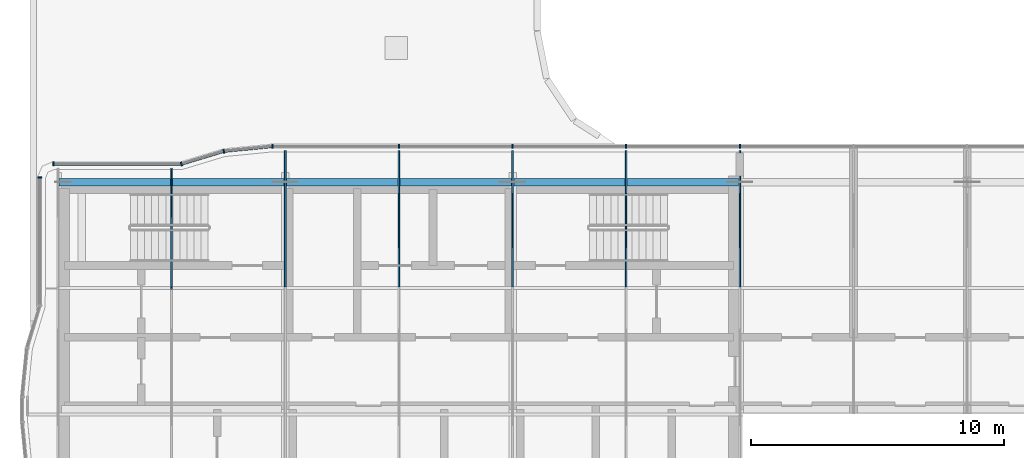
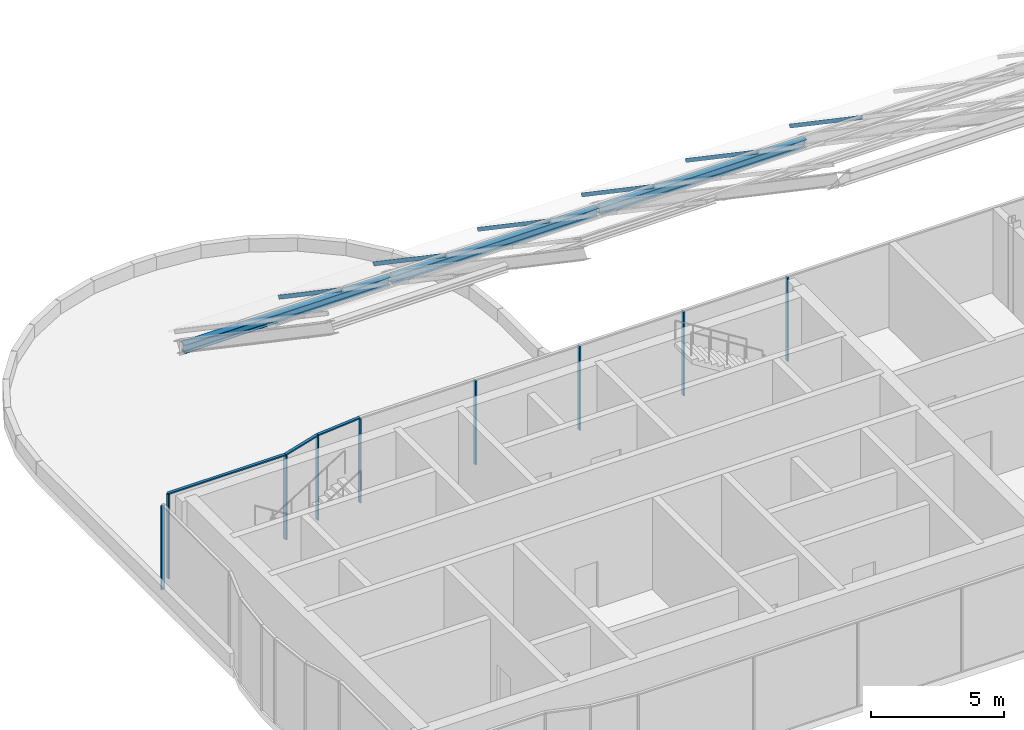
# One storey, part 7 of 25: 21 members, 8 elements without a shape of their own.
"""IFC4 building model written with IfcOpenShell, lengths in metres."""

from ifc_helpers import new_model, si_unit, direction, frame, origin, origin_2d, place, context, subcontext, project, spatial, rectangle, i_section, extrude, material, material_profile, profile_set, type_object, element, aggregate, save


model = new_model("IFC4")

# Units and contexts
model_context = context("Model", 3, precision=1e-05, world=origin(), true_north=direction((0.0, 1.0)))
body_context = subcontext(model_context, "Body", "Model", "MODEL_VIEW")
ifc_project = project(units=[si_unit("LENGTHUNIT", "METRE"), si_unit("AREAUNIT", "SQUARE_METRE"), si_unit("VOLUMEUNIT", "CUBIC_METRE"), si_unit("PLANEANGLEUNIT", "RADIAN"), si_unit("MASSUNIT", "GRAM", prefix="KILO")], contexts=[model_context])

# Site, building, storey
site_placement = place(None, origin())
site = spatial("IfcSite", under=ifc_project, at=site_placement, CompositionType="ELEMENT")
building_placement = place(site_placement, origin())
building = spatial("IfcBuilding", under=site, at=building_placement, Name="Ogive Portal Towers", CompositionType="ELEMENT")
storey_placement = place(building_placement, frame((0.0, 0.0, 272.89990234375)))
storey = spatial("IfcBuildingStorey", under=building, at=storey_placement, Name="L66", CompositionType="ELEMENT", Elevation=272.89990234375)

# Members
ifc_material_1 = material(Name="Steel S355", Category="steel")
ifc_material_profile_1 = material_profile(ifc_material_1, i_section(OverallWidth=0.300048828125, OverallDepth=0.389892578125, WebThickness=0.010986328125, FlangeThickness=0.01904296875, FilletRadius=0.027099609375, at=origin_2d()), Name="HEA 400")
ifc_profile_set_1 = profile_set([ifc_material_profile_1], Name="Steel S355")
member_type_1 = type_object("IfcMemberType", Name="CROWN EAVE BEAM HEA 400", PredefinedType="STRUT", material=ifc_profile_set_1)
for number, where, z_axis, x_axis, name in (
    (1, (31.550048828125, 39.5, 10.885009765625), (1.0, 0.0, 0.0), (0.0, 1.0, 0.0), "Crown eave"),
    (2, (40.550048828125, 39.5, 10.885009765625), (1.0, 0.0, 0.0), (0.0, 1.0, 0.0), "Crown eave"),
    (3, (49.550048828125, 39.5, 10.885009765625), (1.0, 0.0, 0.0), (0.0, 1.0, 0.0), "Crown eave"),
):
    element("IfcMember", number, at=place(storey_placement, frame(where, z_axis=z_axis, x_axis=x_axis)), inside=storey, type_object=member_type_1, Name=name, PredefinedType="STRUT", context=body_context, shape_type="SweptSolid", body=[
        extrude(i_section(OverallWidth=0.300048828125, OverallDepth=0.389892578125, WebThickness=0.010986328125, FlangeThickness=0.01904296875, FilletRadius=0.027099609375, at=origin_2d()), origin(), (0.0, 0.0, 1.0), 8.89990234375),
    ])

# Curtain wall, members
ifc_material_2 = material(Name="Glass, clear low-iron insulated glazing", Category="glass")
curtain_wall_type = type_object("IfcCurtainWallType", Name="CW CROWN GLAZING", PredefinedType="NOTDEFINED", material=ifc_material_2)
curtain_wall_1_placement = place(storey_placement, origin())
curtain_wall_1 = element("IfcCurtainWall", 4, at=curtain_wall_1_placement, inside=storey, type_object=curtain_wall_type, Name="A:L66:c12:cw", PredefinedType="NOTDEFINED")
ifc_material_3 = material(Name="Aluminium 6063 anodised", Category="aluminium")
ifc_material_profile_2 = material_profile(ifc_material_3, rectangle(XDim=0.159912109375, YDim=0.06005859375, at=origin_2d()), Name="AL 60x160")
ifc_profile_set_2 = profile_set([ifc_material_profile_2], Name="Aluminium 6063 anodised")
member_type_2 = type_object("IfcMemberType", Name="CW MULLION 60x160", PredefinedType="MULLION", material=ifc_profile_set_2)
member_1_placement = place(storey_placement, frame((58.5, 40.919921875, 0.0), z_axis=(0.0, 0.0, 1.0), x_axis=(0.0, -1.0, 0.0)))
member_1 = element("IfcMember", 5, at=member_1_placement, type_object=member_type_2, Name="mullion", PredefinedType="MULLION", context=body_context, shape_type="SweptSolid", body=[
    extrude(rectangle(XDim=0.159912109375, YDim=0.06005859375, at=origin_2d()), origin(), (0.0, 0.0, 1.0), 3.840087890625),
])
member_2_placement = place(storey_placement, frame((54.0, 40.919921875, 0.0), z_axis=(0.0, 0.0, 1.0), x_axis=(0.0, -1.0, 0.0)))
member_2 = element("IfcMember", 6, at=member_2_placement, type_object=member_type_2, Name="mullion", PredefinedType="MULLION", context=body_context, shape_type="SweptSolid", body=[
    extrude(rectangle(XDim=0.159912109375, YDim=0.06005859375, at=origin_2d()), origin(), (0.0, 0.0, 1.0), 3.840087890625),
])
member_3_placement = place(storey_placement, frame((49.5, 40.919921875, 0.0), z_axis=(0.0, 0.0, 1.0), x_axis=(0.0, -1.0, 0.0)))
member_3 = element("IfcMember", 7, at=member_3_placement, type_object=member_type_2, Name="mullion", PredefinedType="MULLION", context=body_context, shape_type="SweptSolid", body=[
    extrude(rectangle(XDim=0.159912109375, YDim=0.06005859375, at=origin_2d()), origin(), (0.0, 0.0, 1.0), 3.840087890625),
])
member_4_placement = place(storey_placement, frame((45.0, 40.919921875, 0.0), z_axis=(0.0, 0.0, 1.0), x_axis=(0.0, -1.0, 0.0)))
member_4 = element("IfcMember", 8, at=member_4_placement, type_object=member_type_2, Name="mullion", PredefinedType="MULLION", context=body_context, shape_type="SweptSolid", body=[
    extrude(rectangle(XDim=0.159912109375, YDim=0.06005859375, at=origin_2d()), origin(), (0.0, 0.0, 1.0), 3.840087890625),
])
member_5_placement = place(storey_placement, frame((40.00390625, 40.919921875, 0.0), z_axis=(0.0, 0.0, 1.0), x_axis=(0.0, -1.0, 0.0)))
member_5 = element("IfcMember", 9, at=member_5_placement, type_object=member_type_2, Name="mullion", PredefinedType="MULLION", context=body_context, shape_type="SweptSolid", body=[
    extrude(rectangle(XDim=0.159912109375, YDim=0.06005859375, at=origin_2d()), origin(), (0.0, 0.0, 1.0), 3.840087890625),
])
aggregate(curtain_wall_1, [member_1, member_2, member_3, member_4, member_5])

# Curtain wall, member
curtain_wall_2_placement = place(storey_placement, origin())
curtain_wall_2 = element("IfcCurtainWall", 10, at=curtain_wall_2_placement, inside=storey, type_object=curtain_wall_type, Name="A:L66:c13:cw", PredefinedType="NOTDEFINED")
member_6_placement = place(storey_placement, frame((38.064697265625, 40.72900390625, 0.0), z_axis=(0.0, 0.0, 1.0), x_axis=(0.09801714033, -0.995184726672, 0.0)))
member_6 = element("IfcMember", 11, at=member_6_placement, type_object=member_type_2, Name="mullion", PredefinedType="MULLION", context=body_context, shape_type="SweptSolid", body=[
    extrude(rectangle(XDim=0.159912109375, YDim=0.06005859375, at=origin_2d()), origin(), (0.0, 0.0, 1.0), 3.840087890625),
])

curtain_wall_3_placement = place(storey_placement, origin())
curtain_wall_3 = element("IfcCurtainWall", 12, at=curtain_wall_3_placement, inside=storey, type_object=curtain_wall_type, Name="A:L66:c14:cw", PredefinedType="NOTDEFINED")
member_7_placement = place(storey_placement, frame((36.38671875, 40.219970703125, 0.0), z_axis=(0.0, 0.0, 1.0), x_axis=(0.290284677254, -0.956940335732, 0.0)))
member_7 = element("IfcMember", 13, at=member_7_placement, type_object=member_type_2, Name="mullion", PredefinedType="MULLION", context=body_context, shape_type="SweptSolid", body=[
    extrude(rectangle(XDim=0.159912109375, YDim=0.06005859375, at=origin_2d()), origin(), (0.0, 0.0, 1.0), 3.840087890625),
])

curtain_wall_4_placement = place(storey_placement, origin())
curtain_wall_4 = element("IfcCurtainWall", 14, at=curtain_wall_4_placement, inside=storey, type_object=curtain_wall_type, Name="A:L66:c15:cw", PredefinedType="NOTDEFINED")
member_8_placement = place(storey_placement, frame((31.31591796875, 40.219970703125, 0.0), z_axis=(0.0, 0.0, 1.0), x_axis=(0.0, -1.0, 0.0)))
member_8 = element("IfcMember", 15, at=member_8_placement, type_object=member_type_2, Name="mullion", PredefinedType="MULLION", context=body_context, shape_type="SweptSolid", body=[
    extrude(rectangle(XDim=0.159912109375, YDim=0.06005859375, at=origin_2d()), origin(), (0.0, 0.0, 1.0), 3.840087890625),
])

curtain_wall_5_placement = place(storey_placement, origin())
curtain_wall_5 = element("IfcCurtainWall", 16, at=curtain_wall_5_placement, inside=storey, type_object=curtain_wall_type, Name="A:L66:c18:cw", PredefinedType="NOTDEFINED")
member_9_placement = place(storey_placement, frame((30.780029296875, 39.68408203125, 0.0), z_axis=(0.0, 0.0, 1.0), x_axis=(1.0, 0.0, 0.0)))
member_9 = element("IfcMember", 17, at=member_9_placement, type_object=member_type_2, Name="mullion", PredefinedType="MULLION", context=body_context, shape_type="SweptSolid", body=[
    extrude(rectangle(XDim=0.159912109375, YDim=0.06005859375, at=origin_2d()), origin(), (0.0, 0.0, 1.0), 3.840087890625),
])
aggregate(curtain_wall_5, [member_9])

# Curtain wall, members
curtain_wall_6_placement = place(storey_placement, origin())
curtain_wall_6 = element("IfcCurtainWall", 18, at=curtain_wall_6_placement, inside=storey, type_object=curtain_wall_type, Name="Crown roof glazing 1", PredefinedType="NOTDEFINED")
ifc_material_profile_3 = material_profile(ifc_material_3, rectangle(XDim=0.06005859375, YDim=0.159912109375, at=origin_2d()), Name="AL 60x160 rafter")
ifc_profile_set_3 = profile_set([ifc_material_profile_3], Name="Aluminium 6063 anodised")
member_type_3 = type_object("IfcMemberType", Name="CW ROOF RAFTER 60x160", PredefinedType="MULLION", material=ifc_profile_set_3)
member_10_placement = place(storey_placement, frame((36.0, 35.300048828125, 14.53173828125), z_axis=(0.0, 0.826920110513, -0.56231942064), x_axis=(-1.0, 0.0, 0.0)))
member_10 = element("IfcMember", 19, at=member_10_placement, type_object=member_type_3, Name="roof rafter", PredefinedType="MULLION", context=body_context, shape_type="SweptSolid", body=[
    extrude(rectangle(XDim=0.06005859375, YDim=0.159912109375, at=origin_2d()), origin(), (0.0, 0.0, 1.0), 5.68359375),
])
member_11_placement = place(storey_placement, frame((40.5, 35.300048828125, 14.53173828125), z_axis=(0.0, 0.826913289784, -0.562329450748), x_axis=(-1.0, 0.0, 0.0)))
member_11 = element("IfcMember", 20, at=member_11_placement, type_object=member_type_3, Name="roof rafter", PredefinedType="MULLION", context=body_context, shape_type="SweptSolid", body=[
    extrude(rectangle(XDim=0.06005859375, YDim=0.159912109375, at=origin_2d()), origin(), (0.0, 0.0, 1.0), 6.5302734375),
])
aggregate(curtain_wall_6, [member_10, member_11])

curtain_wall_7_placement = place(storey_placement, origin())
curtain_wall_7 = element("IfcCurtainWall", 21, at=curtain_wall_7_placement, inside=storey, type_object=curtain_wall_type, Name="Crown roof glazing 2", PredefinedType="NOTDEFINED")
member_12_placement = place(storey_placement, frame((45.0, 35.300048828125, 14.53173828125), z_axis=(0.0, 0.826913289784, -0.562329450748), x_axis=(-1.0, 0.0, 0.0)))
member_12 = element("IfcMember", 22, at=member_12_placement, type_object=member_type_3, Name="roof rafter", PredefinedType="MULLION", context=body_context, shape_type="SweptSolid", body=[
    extrude(rectangle(XDim=0.06005859375, YDim=0.159912109375, at=origin_2d()), origin(), (0.0, 0.0, 1.0), 6.5302734375),
])
member_13_placement = place(storey_placement, frame((49.5, 35.300048828125, 14.53173828125), z_axis=(0.0, 0.826913289784, -0.562329450748), x_axis=(-1.0, 0.0, 0.0)))
member_13 = element("IfcMember", 23, at=member_13_placement, type_object=member_type_3, Name="roof rafter", PredefinedType="MULLION", context=body_context, shape_type="SweptSolid", body=[
    extrude(rectangle(XDim=0.06005859375, YDim=0.159912109375, at=origin_2d()), origin(), (0.0, 0.0, 1.0), 6.5302734375),
])
member_14_placement = place(storey_placement, frame((54.0, 35.300048828125, 14.53173828125), z_axis=(0.0, 0.826913289784, -0.562329450748), x_axis=(-1.0, 0.0, 0.0)))
member_14 = element("IfcMember", 24, at=member_14_placement, type_object=member_type_3, Name="roof rafter", PredefinedType="MULLION", context=body_context, shape_type="SweptSolid", body=[
    extrude(rectangle(XDim=0.06005859375, YDim=0.159912109375, at=origin_2d()), origin(), (0.0, 0.0, 1.0), 6.5302734375),
])
aggregate(curtain_wall_7, [member_12, member_13, member_14])

# Curtain wall, member
curtain_wall_8_placement = place(storey_placement, origin())
curtain_wall_8 = element("IfcCurtainWall", 25, at=curtain_wall_8_placement, inside=storey, type_object=curtain_wall_type, Name="Crown roof glazing 3", PredefinedType="NOTDEFINED")
member_15_placement = place(storey_placement, frame((58.5, 35.300048828125, 14.53173828125), z_axis=(0.0, 0.826913289784, -0.562329450748), x_axis=(-1.0, 0.0, 0.0)))
member_15 = element("IfcMember", 26, at=member_15_placement, type_object=member_type_3, Name="roof rafter", PredefinedType="MULLION", context=body_context, shape_type="SweptSolid", body=[
    extrude(rectangle(XDim=0.06005859375, YDim=0.159912109375, at=origin_2d()), origin(), (0.0, 0.0, 1.0), 6.5302734375),
])
aggregate(curtain_wall_8, [member_15])

# Member
ifc_material_profile_4 = material_profile(ifc_material_3, rectangle(XDim=0.1201171875, YDim=0.06005859375, at=origin_2d()), Name="AL 120x60")
ifc_profile_set_4 = profile_set([ifc_material_profile_4], Name="Aluminium 6063 anodised")
member_type_4 = type_object("IfcMemberType", Name="CW TRANSOM 60x120", PredefinedType="USERDEFINED", material=ifc_profile_set_4)
member_16_placement = place(storey_placement, frame((40.00390625, 40.919921875, 3.8701171875), z_axis=(-0.995188602778, -0.097977777587, 0.0), x_axis=(0.097977777587, -0.995188602778, 0.0)))
member_16 = element("IfcMember", 27, at=member_16_placement, type_object=member_type_4, Name="transom", ObjectType="TRANSOM", PredefinedType="USERDEFINED", context=body_context, shape_type="SweptSolid", body=[
    extrude(rectangle(XDim=0.1201171875, YDim=0.06005859375, at=origin_2d()), origin(), (0.0, 0.0, 1.0), 1.948486328125),
])

aggregate(curtain_wall_2, [member_16, member_6])

member_17_placement = place(storey_placement, frame((38.064697265625, 40.72900390625, 3.8701171875), z_axis=(-0.956936535945, -0.290297203178, 0.0), x_axis=(0.290297203178, -0.956936535945, 0.0)))
member_17 = element("IfcMember", 28, at=member_17_placement, type_object=member_type_4, Name="transom", ObjectType="TRANSOM", PredefinedType="USERDEFINED", context=body_context, shape_type="SweptSolid", body=[
    extrude(rectangle(XDim=0.1201171875, YDim=0.06005859375, at=origin_2d()), origin(), (0.0, 0.0, 1.0), 1.75341796875),
])

aggregate(curtain_wall_3, [member_17, member_7])

member_18_placement = place(storey_placement, frame((36.38671875, 40.219970703125, 3.8701171875), z_axis=(-1.0, 0.0, 0.0), x_axis=(0.0, -1.0, 0.0)))
member_18 = element("IfcMember", 29, at=member_18_placement, type_object=member_type_4, Name="transom", ObjectType="TRANSOM", PredefinedType="USERDEFINED", context=body_context, shape_type="SweptSolid", body=[
    extrude(rectangle(XDim=0.1201171875, YDim=0.06005859375, at=origin_2d()), origin(), (0.0, 0.0, 1.0), 5.07080078125),
])

aggregate(curtain_wall_4, [member_18, member_8])

save(model, "model.ifc")
